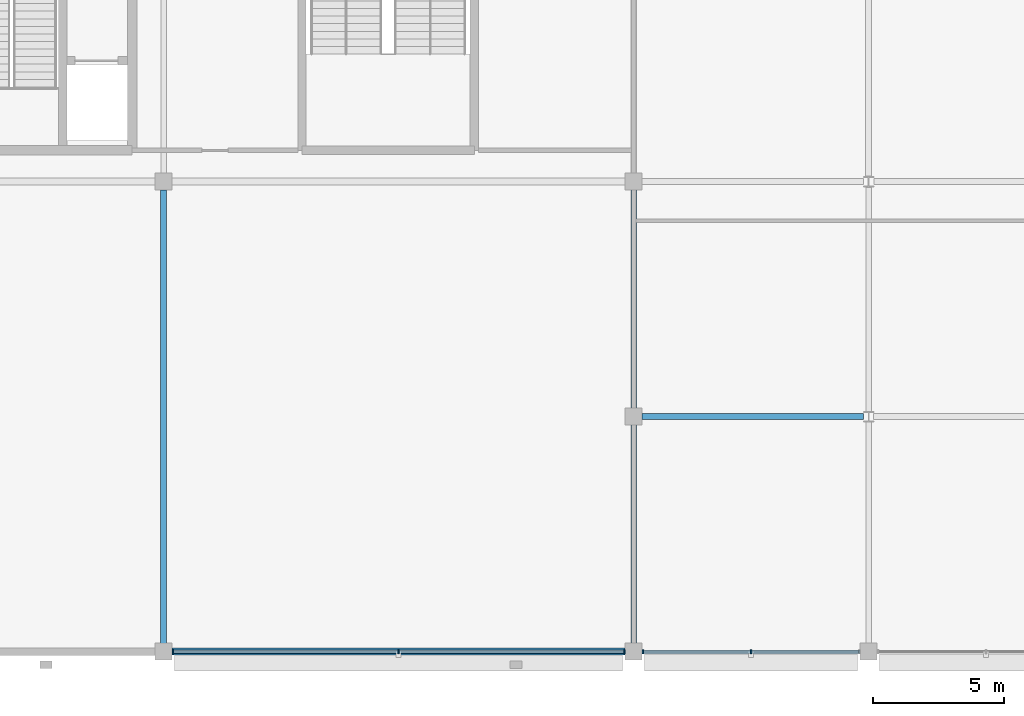
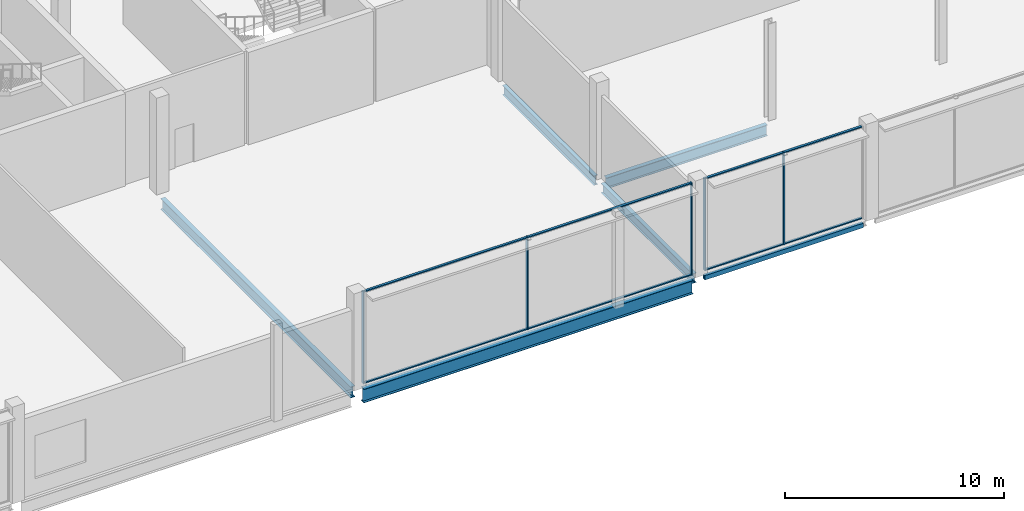
# One storey, part 41 of 111: 13 members, 6 beams, 2 elements without a shape of their own.
"""IFC4 building model written with IfcOpenShell, lengths in metres."""

from ifc_helpers import new_model, si_unit, direction, frame, origin, origin_2d, place, context, subcontext, project, spatial, rectangle, hollow_rectangle, i_section, extrude, material, layer, layer_set, material_profile, profile_set, type_object, element, aggregate, save


model = new_model("IFC4")

# Units and contexts
model_context = context("Model", 3, precision=1e-05, world=origin(), true_north=direction((0.0, 1.0)))
body_context = subcontext(model_context, "Body", "Model", "MODEL_VIEW")
ifc_project = project(units=[si_unit("LENGTHUNIT", "METRE"), si_unit("AREAUNIT", "SQUARE_METRE"), si_unit("VOLUMEUNIT", "CUBIC_METRE"), si_unit("PLANEANGLEUNIT", "RADIAN"), si_unit("MASSUNIT", "GRAM", prefix="KILO")], contexts=[model_context])

# Site, building, storey
site_placement = place(None, origin())
site = spatial("IfcSite", under=ifc_project, at=site_placement, CompositionType="ELEMENT")
building_placement = place(site_placement, origin())
building = spatial("IfcBuilding", under=site, at=building_placement, Name="Kisiwana Market Hall", CompositionType="ELEMENT")
storey_placement = place(building_placement, frame((0.0, 0.0, 11.39990234375)))
storey = spatial("IfcBuildingStorey", under=building, at=storey_placement, Name="L02", CompositionType="ELEMENT", Elevation=11.39990234375)

# Beams
ifc_material_1 = material(Name="Steel S355", Category="steel")
ifc_material_profile_1 = material_profile(ifc_material_1, i_section(OverallWidth=0.209228515625, OverallDepth=0.533203125, WebThickness=0.010009765625, FlangeThickness=0.015625, at=origin_2d()), Name="UB 533x210x92")
ifc_profile_set_1 = profile_set([ifc_material_profile_1], Name="Steel S355")
beam_type_1 = type_object("IfcBeamType", Name="BM-GIRD-UB533", PredefinedType="BEAM", material=ifc_profile_set_1)
for number, where, z_axis, x_axis, name in (
    (1, (153.0, 0.321044921875, -0.516357421875), (0.0, 1.0, 0.0), (-1.0, 0.0, 0.0), "Primary girder B-0661"),
    (2, (153.0, 9.321044921875, -0.516357421875), (0.0, 1.0, 0.0), (-1.0, 0.0, 0.0), "Primary girder B-0662"),
):
    element("IfcBeam", number, at=place(storey_placement, frame(where, z_axis=z_axis, x_axis=x_axis)), inside=storey, type_object=beam_type_1, Name=name, PredefinedType="BEAM", context=body_context, shape_type="SweptSolid", body=[
        extrude(i_section(OverallWidth=0.209228515625, OverallDepth=0.533203125, WebThickness=0.010009765625, FlangeThickness=0.015625, at=origin_2d()), origin(), (0.0, 0.0, 1.0), 8.35791015625),
    ])
ifc_material_2 = material(Name="Steel S355", Category="steel")
ifc_material_profile_2 = material_profile(ifc_material_2, i_section(OverallWidth=0.22900390625, OverallDepth=0.6123046875, WebThickness=0.011962890625, FlangeThickness=0.01953125, at=origin_2d()), Name="UB 610x229x125")
ifc_profile_set_2 = profile_set([ifc_material_profile_2], Name="Steel S355")
beam_type_2 = type_object("IfcBeamType", Name="BM-GIRD-UB610H", PredefinedType="BEAM", material=ifc_profile_set_2)
beam_1_placement = place(storey_placement, frame((153.321044921875, 9.0, -0.555908203125), z_axis=(1.0, 0.0, 0.0), x_axis=(0.0, 1.0, 0.0)))
element("IfcBeam", 3, at=beam_1_placement, inside=storey, type_object=beam_type_2, Name="Floor beam B-0737", PredefinedType="BEAM", context=body_context, shape_type="SweptSolid", body=[
    extrude(i_section(OverallWidth=0.22900390625, OverallDepth=0.6123046875, WebThickness=0.011962890625, FlangeThickness=0.01953125, at=origin_2d()), origin(), (0.0, 0.0, 1.0), 8.4814453125),
])
beam_2_placement = place(storey_placement, frame((135.0, 0.321044921875, -0.555908203125), z_axis=(0.0, 1.0, 0.0), x_axis=(-1.0, 0.0, 0.0)))
element("IfcBeam", 4, at=beam_2_placement, inside=storey, type_object=beam_type_2, Name="Primary girder B-0655", PredefinedType="BEAM", context=body_context, shape_type="SweptSolid", body=[
    extrude(i_section(OverallWidth=0.22900390625, OverallDepth=0.6123046875, WebThickness=0.011962890625, FlangeThickness=0.01953125, at=origin_2d()), origin(), (0.0, 0.0, 1.0), 17.35791015625),
])
ifc_material_3 = material(Name="Steel S355", Category="steel")
ifc_material_profile_3 = material_profile(ifc_material_3, i_section(OverallWidth=0.2666015625, OverallDepth=0.76220703125, WebThickness=0.014404296875, FlangeThickness=0.021484375, at=origin_2d()), Name="UB 762x267x173")
ifc_profile_set_3 = profile_set([ifc_material_profile_3], Name="Steel S355")
beam_type_3 = type_object("IfcBeamType", Name="BM-GIRD-UB762", PredefinedType="BEAM", material=ifc_profile_set_3)
beam_3_placement = place(storey_placement, frame((135.321044921875, 0.0, -0.631103515625), z_axis=(1.0, 0.0, 0.0), x_axis=(0.0, 1.0, 0.0)))
element("IfcBeam", 5, at=beam_3_placement, inside=storey, type_object=beam_type_3, Name="Floor beam B-0728", PredefinedType="BEAM", context=body_context, shape_type="SweptSolid", body=[
    extrude(i_section(OverallWidth=0.2666015625, OverallDepth=0.76220703125, WebThickness=0.014404296875, FlangeThickness=0.021484375, at=origin_2d()), origin(), (0.0, 0.0, 1.0), 17.35791015625),
])
ifc_material_4 = material(Name="Steel S355", Category="steel")
ifc_material_profile_4 = material_profile(ifc_material_4, hollow_rectangle(XDim=0.14990234375, YDim=0.25, WallThickness=0.010009765625, at=origin_2d()), Name="RHS 250x150x10.0")
ifc_profile_set_4 = profile_set([ifc_material_profile_4], Name="Steel S355")
beam_type_4 = type_object("IfcBeamType", Name="BM-SPAN-RHS250", PredefinedType="SPANDREL", material=ifc_profile_set_4)
beam_4_placement = place(storey_placement, frame((153.321044921875, 0.0, -0.375), z_axis=(1.0, 0.0, 0.0), x_axis=(0.0, 1.0, 0.0)))
element("IfcBeam", 6, at=beam_4_placement, inside=storey, type_object=beam_type_4, Name="Floor beam B-0729", PredefinedType="SPANDREL", context=body_context, shape_type="SweptSolid", body=[
    extrude(hollow_rectangle(XDim=0.14990234375, YDim=0.25, WallThickness=0.010009765625, at=origin_2d()), origin(), (0.0, 0.0, 1.0), 8.35791015625),
])

# Curtain wall, members
ifc_material_5 = material(Name="Double-glazed solar-control low-E IGU", Category="glass")
ifc_layer = layer(ifc_material_5, 0.159912109375)
ifc_layer_set = layer_set([ifc_layer], Name="CW-GLD-W-6400")
curtain_wall_type = type_object("IfcCurtainWallType", Name="CW-GLD-W-6400", PredefinedType="USERDEFINED", material=ifc_layer_set)
curtain_wall_1_placement = place(storey_placement, origin())
curtain_wall_1 = element("IfcCurtainWall", 7, at=curtain_wall_1_placement, inside=storey, type_object=curtain_wall_type, Name="Unitised curtain wall CW-059 (L02)", ObjectType="UNITISED CURTAIN WALL", PredefinedType="USERDEFINED")
ifc_material_6 = material(Name="Aluminium alloy 6063-T6", Category="aluminium")
ifc_material_profile_5 = material_profile(ifc_material_6, rectangle(XDim=0.06005859375, YDim=0.159912109375, at=origin_2d()), Name="ALU MULLION 60x160")
ifc_profile_set_5 = profile_set([ifc_material_profile_5], Name="Aluminium alloy 6063-T6")
member_type_1 = type_object("IfcMemberType", Name="CW-MULL-60x160", PredefinedType="MULLION", material=ifc_profile_set_5)
member_1_placement = place(storey_placement, frame((135.35498046875, 0.0, 0.0), z_axis=(0.0, 0.0, 1.0), x_axis=(1.0, 0.0, 0.0)))
member_1 = element("IfcMember", 8, at=member_1_placement, type_object=member_type_1, Name="CW-059 mullion 1", PredefinedType="MULLION", context=body_context, shape_type="SweptSolid", body=[
    extrude(rectangle(XDim=0.06005859375, YDim=0.159912109375, at=origin_2d()), origin(), (0.0, 0.0, 1.0), 5.150146484375),
])
member_2_placement = place(storey_placement, frame((144.0, 0.0, 0.0), z_axis=(0.0, 0.0, 1.0), x_axis=(1.0, 0.0, 0.0)))
member_2 = element("IfcMember", 9, at=member_2_placement, type_object=member_type_1, Name="CW-059 mullion 2", PredefinedType="MULLION", context=body_context, shape_type="SweptSolid", body=[
    extrude(rectangle(XDim=0.06005859375, YDim=0.159912109375, at=origin_2d()), origin(), (0.0, 0.0, 1.0), 5.150146484375),
])
member_3_placement = place(storey_placement, frame((152.64501953125, 0.0, 0.0), z_axis=(0.0, 0.0, 1.0), x_axis=(1.0, 0.0, 0.0)))
member_3 = element("IfcMember", 10, at=member_3_placement, type_object=member_type_1, Name="CW-059 mullion 3", PredefinedType="MULLION", context=body_context, shape_type="SweptSolid", body=[
    extrude(rectangle(XDim=0.06005859375, YDim=0.159912109375, at=origin_2d()), origin(), (0.0, 0.0, 1.0), 5.150146484375),
])

curtain_wall_2_placement = place(storey_placement, origin())
curtain_wall_2 = element("IfcCurtainWall", 11, at=curtain_wall_2_placement, inside=storey, type_object=curtain_wall_type, Name="Unitised curtain wall CW-060 (L02)", ObjectType="UNITISED CURTAIN WALL", PredefinedType="USERDEFINED")
member_4_placement = place(storey_placement, frame((153.35498046875, 0.0, 0.0), z_axis=(0.0, 0.0, 1.0), x_axis=(1.0, 0.0, 0.0)))
member_4 = element("IfcMember", 12, at=member_4_placement, type_object=member_type_1, Name="CW-060 mullion 1", PredefinedType="MULLION", context=body_context, shape_type="SweptSolid", body=[
    extrude(rectangle(XDim=0.06005859375, YDim=0.159912109375, at=origin_2d()), origin(), (0.0, 0.0, 1.0), 5.150146484375),
])
member_5_placement = place(storey_placement, frame((157.5, 0.0, 0.0), z_axis=(0.0, 0.0, 1.0), x_axis=(1.0, 0.0, 0.0)))
member_5 = element("IfcMember", 13, at=member_5_placement, type_object=member_type_1, Name="CW-060 mullion 2", PredefinedType="MULLION", context=body_context, shape_type="SweptSolid", body=[
    extrude(rectangle(XDim=0.06005859375, YDim=0.159912109375, at=origin_2d()), origin(), (0.0, 0.0, 1.0), 5.150146484375),
])

# Member
ifc_material_7 = material(Name="Aluminium alloy 6063-T6", Category="aluminium")
ifc_material_profile_6 = material_profile(ifc_material_7, rectangle(XDim=0.1201171875, YDim=0.06005859375, at=origin_2d()), Name="ALU TRANSOM 60x120")
ifc_profile_set_6 = profile_set([ifc_material_profile_6], Name="Aluminium alloy 6063-T6")
member_type_2 = type_object("IfcMemberType", Name="CW-TRAN-60x120", PredefinedType="USERDEFINED", material=ifc_profile_set_6)
member_6_placement = place(storey_placement, frame((135.385009765625, 0.0, 0.030029296875), z_axis=(1.0, 0.0, 0.0), x_axis=(0.0, 1.0, 0.0)))
member_6 = element("IfcMember", 14, at=member_6_placement, type_object=member_type_2, Name="CW-059 transom 1.1", ObjectType="TRANSOM", PredefinedType="USERDEFINED", context=body_context, shape_type="SweptSolid", body=[
    extrude(rectangle(XDim=0.1201171875, YDim=0.06005859375, at=origin_2d()), origin(), (0.0, 0.0, 1.0), 8.5849609375),
])

member_7_placement = place(storey_placement, frame((135.385009765625, 0.0, 5.1201171875), z_axis=(1.0, 0.0, 0.0), x_axis=(0.0, 1.0, 0.0)))
member_7 = element("IfcMember", 15, at=member_7_placement, type_object=member_type_2, Name="CW-059 transom 1.2", ObjectType="TRANSOM", PredefinedType="USERDEFINED", context=body_context, shape_type="SweptSolid", body=[
    extrude(rectangle(XDim=0.1201171875, YDim=0.06005859375, at=origin_2d()), origin(), (0.0, 0.0, 1.0), 8.5849609375),
])

member_8_placement = place(storey_placement, frame((144.030029296875, 0.0, 0.030029296875), z_axis=(1.0, 0.0, 0.0), x_axis=(0.0, 1.0, 0.0)))
member_8 = element("IfcMember", 16, at=member_8_placement, type_object=member_type_2, Name="CW-059 transom 2.1", ObjectType="TRANSOM", PredefinedType="USERDEFINED", context=body_context, shape_type="SweptSolid", body=[
    extrude(rectangle(XDim=0.1201171875, YDim=0.06005859375, at=origin_2d()), origin(), (0.0, 0.0, 1.0), 8.5849609375),
])

member_9_placement = place(storey_placement, frame((144.030029296875, 0.0, 5.1201171875), z_axis=(1.0, 0.0, 0.0), x_axis=(0.0, 1.0, 0.0)))
member_9 = element("IfcMember", 17, at=member_9_placement, type_object=member_type_2, Name="CW-059 transom 2.2", ObjectType="TRANSOM", PredefinedType="USERDEFINED", context=body_context, shape_type="SweptSolid", body=[
    extrude(rectangle(XDim=0.1201171875, YDim=0.06005859375, at=origin_2d()), origin(), (0.0, 0.0, 1.0), 8.5849609375),
])

aggregate(curtain_wall_1, [member_1, member_2, member_3, member_6, member_7, member_8, member_9])

member_10_placement = place(storey_placement, frame((153.385009765625, 0.0, 0.030029296875), z_axis=(1.0, 0.0, 0.0), x_axis=(0.0, 1.0, 0.0)))
member_10 = element("IfcMember", 18, at=member_10_placement, type_object=member_type_2, Name="CW-060 transom 1.1", ObjectType="TRANSOM", PredefinedType="USERDEFINED", context=body_context, shape_type="SweptSolid", body=[
    extrude(rectangle(XDim=0.1201171875, YDim=0.06005859375, at=origin_2d()), origin(), (0.0, 0.0, 1.0), 4.0849609375),
])

member_11_placement = place(storey_placement, frame((153.385009765625, 0.0, 5.1201171875), z_axis=(1.0, 0.0, 0.0), x_axis=(0.0, 1.0, 0.0)))
member_11 = element("IfcMember", 19, at=member_11_placement, type_object=member_type_2, Name="CW-060 transom 1.2", ObjectType="TRANSOM", PredefinedType="USERDEFINED", context=body_context, shape_type="SweptSolid", body=[
    extrude(rectangle(XDim=0.1201171875, YDim=0.06005859375, at=origin_2d()), origin(), (0.0, 0.0, 1.0), 4.0849609375),
])

member_12_placement = place(storey_placement, frame((157.530029296875, 0.0, 0.030029296875), z_axis=(1.0, 0.0, 0.0), x_axis=(0.0, 1.0, 0.0)))
member_12 = element("IfcMember", 20, at=member_12_placement, type_object=member_type_2, Name="CW-060 transom 2.1", ObjectType="TRANSOM", PredefinedType="USERDEFINED", context=body_context, shape_type="SweptSolid", body=[
    extrude(rectangle(XDim=0.1201171875, YDim=0.06005859375, at=origin_2d()), origin(), (0.0, 0.0, 1.0), 4.0849609375),
])

member_13_placement = place(storey_placement, frame((157.530029296875, 0.0, 5.1201171875), z_axis=(1.0, 0.0, 0.0), x_axis=(0.0, 1.0, 0.0)))
member_13 = element("IfcMember", 21, at=member_13_placement, type_object=member_type_2, Name="CW-060 transom 2.2", ObjectType="TRANSOM", PredefinedType="USERDEFINED", context=body_context, shape_type="SweptSolid", body=[
    extrude(rectangle(XDim=0.1201171875, YDim=0.06005859375, at=origin_2d()), origin(), (0.0, 0.0, 1.0), 4.0849609375),
])

aggregate(curtain_wall_2, [member_4, member_5, member_10, member_11, member_12, member_13])

save(model, "model.ifc")
